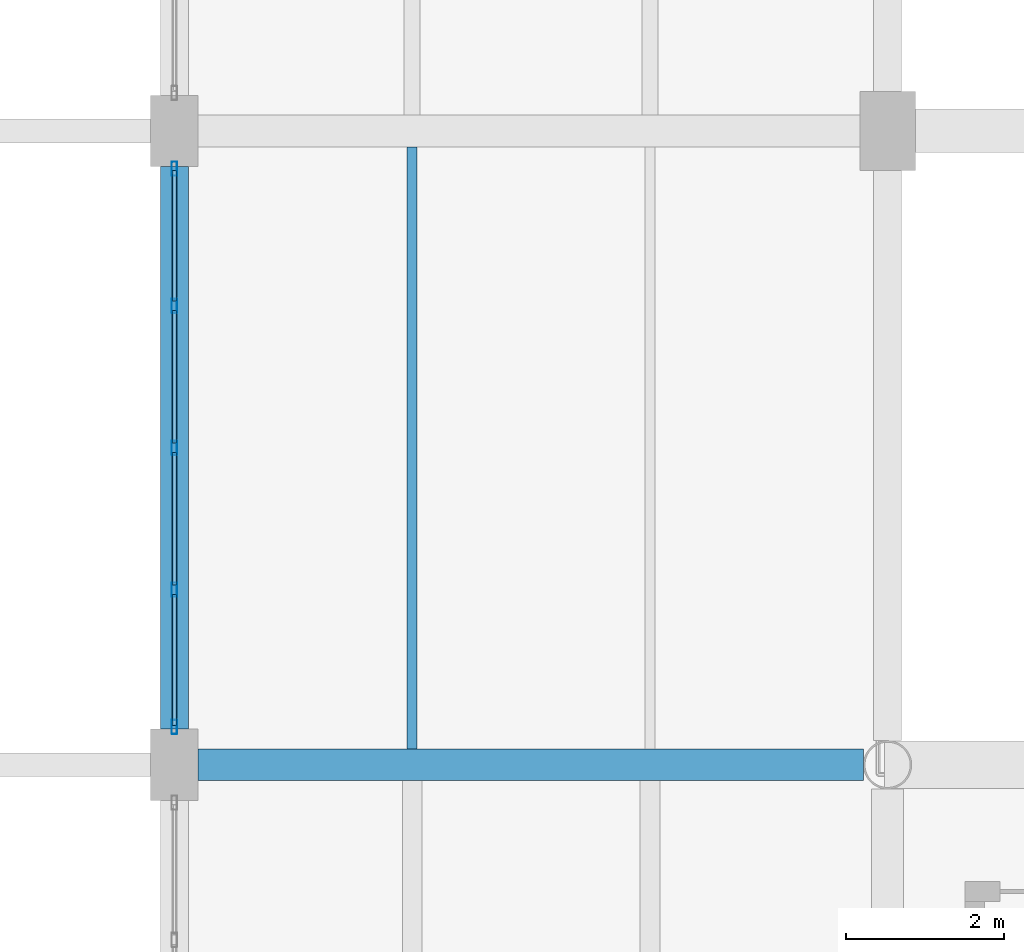
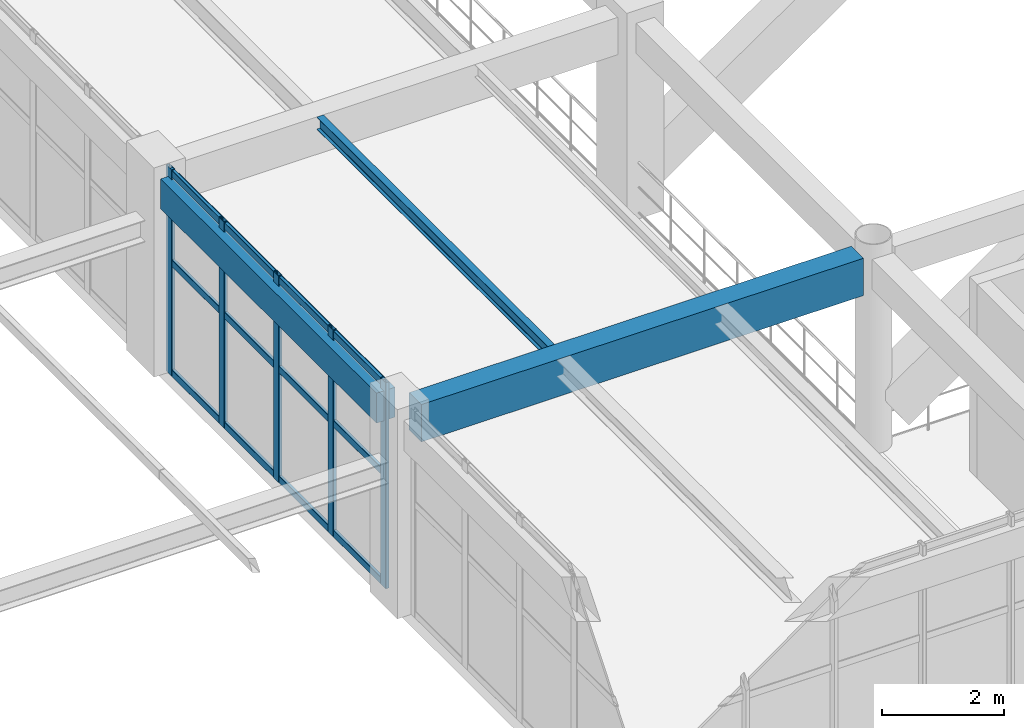
# One storey, part 32 of 148: 17 members, 3 beams, 1 element without a shape of its own.
"""IFC4 building model written with IfcOpenShell, lengths in metres."""

from ifc_helpers import new_model, si_unit, derived_unit, direction, frame, origin, origin_2d, place, context, subcontext, project, spatial, rectangle, hollow_rectangle, i_section, extrude, material, material_profile, profile_set, type_object, element, aggregate, save


model = new_model("IFC4")

# Units and contexts
model_context = context("Model", 3, precision=1e-05, world=origin(), true_north=direction((0.0, 1.0)))
body_context = subcontext(model_context, "Body", "Model", "MODEL_VIEW")
ifc_project = project(units=[si_unit("LENGTHUNIT", "METRE"), si_unit("AREAUNIT", "SQUARE_METRE"), si_unit("VOLUMEUNIT", "CUBIC_METRE"), si_unit("PLANEANGLEUNIT", "RADIAN"), si_unit("MASSUNIT", "GRAM", prefix="KILO"), derived_unit("THERMALTRANSMITTANCEUNIT", [(si_unit("MASSUNIT", "GRAM", prefix="KILO"), 1), (si_unit("TIMEUNIT", "SECOND"), -3), (si_unit("THERMODYNAMICTEMPERATUREUNIT", "KELVIN"), -1)])], contexts=[model_context])

# Site, building, storey
site_placement = place(None, origin())
site = spatial("IfcSite", under=ifc_project, at=site_placement, CompositionType="ELEMENT")
building_placement = place(site_placement, origin())
building = spatial("IfcBuilding", under=site, at=building_placement, Name="Zhenchuan Archway Interchange", CompositionType="ELEMENT")
storey_placement = place(building_placement, frame((0.0, 0.0, 10.199951171875)))
storey = spatial("IfcBuildingStorey", under=building, at=storey_placement, Name="L02", CompositionType="ELEMENT", Elevation=10.199951171875)

# Beam
ifc_material_1 = material(Name="Concrete C40", Category="concrete")
ifc_material_profile_1 = material_profile(ifc_material_1, rectangle(XDim=0.39990234375, YDim=0.75, at=origin_2d()), Name="RC 400x750")
ifc_profile_set_1 = profile_set([ifc_material_profile_1], Name="Concrete C40")
beam_type_1 = type_object("IfcBeamType", Name="BM_RC_400x750", PredefinedType="BEAM", material=ifc_profile_set_1)
beam_1_placement = place(storey_placement, frame((27.300048828125, 32.0, 3.56494140625), z_axis=(1.0, 0.0, 0.0), x_axis=(0.0, 1.0, 0.0)))
element("IfcBeam", 1, at=beam_1_placement, inside=storey, type_object=beam_type_1, Name="Beam E:4-5 (L02)", PredefinedType="BEAM", context=body_context, shape_type="SweptSolid", body=[
    extrude(rectangle(XDim=0.39990234375, YDim=0.75, at=origin_2d()), origin(), (0.0, 0.0, 1.0), 8.39501953125),
])

# Curtain wall, members
ifc_material_2 = material(Name="Anodised Aluminium", Category="aluminium")
curtain_wall_type = type_object("IfcCurtainWallType", Name="CW_UNIT_4", PredefinedType="NOTDEFINED", material=ifc_material_2)
curtain_wall_placement = place(storey_placement, origin())
curtain_wall = element("IfcCurtainWall", 2, at=curtain_wall_placement, inside=storey, type_object=curtain_wall_type, Name="Unitised curtain wall CW:L02:127", PredefinedType="NOTDEFINED")
ifc_material_profile_2 = material_profile(ifc_material_2, hollow_rectangle(XDim=0.070068359375, YDim=0.179931640625, WallThickness=0.00390625, InnerFilletRadius=0.00390625, OuterFilletRadius=0.008056640625, at=origin_2d()), Name="ALU 180x70x4")
ifc_profile_set_2 = profile_set([ifc_material_profile_2], Name="Anodised Aluminium")
member_type_1 = type_object("IfcMemberType", Name="CW_MUL_180", PredefinedType="MULLION", material=ifc_profile_set_2)
member_1_placement = place(storey_placement, frame((27.0, 32.47802734375, 0.0), z_axis=(0.0, 0.0, 1.0), x_axis=(1.0, 0.0, 0.0)))
member_1 = element("IfcMember", 3, at=member_1_placement, type_object=member_type_1, Name="CW:L02:127 mullion 0", PredefinedType="MULLION", context=body_context, shape_type="SweptSolid", body=[
    extrude(hollow_rectangle(XDim=0.070068359375, YDim=0.179931640625, WallThickness=0.00390625, InnerFilletRadius=0.00390625, OuterFilletRadius=0.008056640625, at=origin_2d()), origin(), (0.0, 0.0, 1.0), 4.14013671875),
])
member_2_placement = place(storey_placement, frame((27.0, 34.208984375, 0.0), z_axis=(0.0, 0.0, 1.0), x_axis=(1.0, 0.0, 0.0)))
member_2 = element("IfcMember", 4, at=member_2_placement, type_object=member_type_1, Name="CW:L02:127 mullion 1", PredefinedType="MULLION", context=body_context, shape_type="SweptSolid", body=[
    extrude(hollow_rectangle(XDim=0.070068359375, YDim=0.179931640625, WallThickness=0.00390625, InnerFilletRadius=0.00390625, OuterFilletRadius=0.008056640625, at=origin_2d()), origin(), (0.0, 0.0, 1.0), 4.14013671875),
])
member_3_placement = place(storey_placement, frame((27.0, 36.0, 0.0), z_axis=(0.0, 0.0, 1.0), x_axis=(1.0, 0.0, 0.0)))
member_3 = element("IfcMember", 5, at=member_3_placement, type_object=member_type_1, Name="CW:L02:127 mullion 2", PredefinedType="MULLION", context=body_context, shape_type="SweptSolid", body=[
    extrude(hollow_rectangle(XDim=0.070068359375, YDim=0.179931640625, WallThickness=0.00390625, InnerFilletRadius=0.00390625, OuterFilletRadius=0.008056640625, at=origin_2d()), origin(), (0.0, 0.0, 1.0), 4.14013671875),
])
member_4_placement = place(storey_placement, frame((27.0, 37.791015625, 0.0), z_axis=(0.0, 0.0, 1.0), x_axis=(1.0, 0.0, 0.0)))
member_4 = element("IfcMember", 6, at=member_4_placement, type_object=member_type_1, Name="CW:L02:127 mullion 3", PredefinedType="MULLION", context=body_context, shape_type="SweptSolid", body=[
    extrude(hollow_rectangle(XDim=0.070068359375, YDim=0.179931640625, WallThickness=0.00390625, InnerFilletRadius=0.00390625, OuterFilletRadius=0.008056640625, at=origin_2d()), origin(), (0.0, 0.0, 1.0), 4.14013671875),
])
member_5_placement = place(storey_placement, frame((27.0, 39.52197265625, 0.0), z_axis=(0.0, 0.0, 1.0), x_axis=(1.0, 0.0, 0.0)))
member_5 = element("IfcMember", 7, at=member_5_placement, type_object=member_type_1, Name="CW:L02:127 mullion 4", PredefinedType="MULLION", context=body_context, shape_type="SweptSolid", body=[
    extrude(hollow_rectangle(XDim=0.070068359375, YDim=0.179931640625, WallThickness=0.00390625, InnerFilletRadius=0.00390625, OuterFilletRadius=0.008056640625, at=origin_2d()), origin(), (0.0, 0.0, 1.0), 4.14013671875),
])
ifc_material_profile_3 = material_profile(ifc_material_2, hollow_rectangle(XDim=0.06005859375, YDim=0.139892578125, WallThickness=0.00341796875, InnerFilletRadius=0.00341796875, OuterFilletRadius=0.007080078125, at=origin_2d()), Name="ALU 140x60x3.5")
ifc_profile_set_3 = profile_set([ifc_material_profile_3], Name="Anodised Aluminium")
member_type_2 = type_object("IfcMemberType", Name="CW_TRN_140", PredefinedType="USERDEFINED", material=ifc_profile_set_3)
member_6_placement = place(storey_placement, frame((27.0, 32.498046875, 0.06005859375), z_axis=(0.0, 1.0, 0.0), x_axis=(-1.0, 0.0, 0.0)))
member_6 = element("IfcMember", 8, at=member_6_placement, type_object=member_type_2, Name="CW:L02:127 transom 0-1", ObjectType="TRANSOM", PredefinedType="USERDEFINED", context=body_context, shape_type="SweptSolid", body=[
    extrude(hollow_rectangle(XDim=0.06005859375, YDim=0.139892578125, WallThickness=0.00341796875, InnerFilletRadius=0.00341796875, OuterFilletRadius=0.007080078125, at=origin_2d()), origin(), (0.0, 0.0, 1.0), 1.65087890625),
])
member_7_placement = place(storey_placement, frame((27.0, 32.498046875, 2.26611328125), z_axis=(0.0, 1.0, 0.0), x_axis=(-1.0, 0.0, 0.0)))
member_7 = element("IfcMember", 9, at=member_7_placement, type_object=member_type_2, Name="CW:L02:127 transom 0-2", ObjectType="TRANSOM", PredefinedType="USERDEFINED", context=body_context, shape_type="SweptSolid", body=[
    extrude(hollow_rectangle(XDim=0.06005859375, YDim=0.139892578125, WallThickness=0.00341796875, InnerFilletRadius=0.00341796875, OuterFilletRadius=0.007080078125, at=origin_2d()), origin(), (0.0, 0.0, 1.0), 1.65087890625),
])
member_8_placement = place(storey_placement, frame((27.0, 32.498046875, 4.06005859375), z_axis=(0.0, 1.0, 0.0), x_axis=(-1.0, 0.0, 0.0)))
member_8 = element("IfcMember", 10, at=member_8_placement, type_object=member_type_2, Name="CW:L02:127 transom 0-3", ObjectType="TRANSOM", PredefinedType="USERDEFINED", context=body_context, shape_type="SweptSolid", body=[
    extrude(hollow_rectangle(XDim=0.06005859375, YDim=0.139892578125, WallThickness=0.00341796875, InnerFilletRadius=0.00341796875, OuterFilletRadius=0.007080078125, at=origin_2d()), origin(), (0.0, 0.0, 1.0), 1.65087890625),
])
member_9_placement = place(storey_placement, frame((27.0, 34.26904296875, 0.06005859375), z_axis=(0.0, 1.0, 0.0), x_axis=(-1.0, 0.0, 0.0)))
member_9 = element("IfcMember", 11, at=member_9_placement, type_object=member_type_2, Name="CW:L02:127 transom 1-1", ObjectType="TRANSOM", PredefinedType="USERDEFINED", context=body_context, shape_type="SweptSolid", body=[
    extrude(hollow_rectangle(XDim=0.06005859375, YDim=0.139892578125, WallThickness=0.00341796875, InnerFilletRadius=0.00341796875, OuterFilletRadius=0.007080078125, at=origin_2d()), origin(), (0.0, 0.0, 1.0), 1.6708984375),
])
member_10_placement = place(storey_placement, frame((27.0, 34.26904296875, 2.26611328125), z_axis=(0.0, 1.0, 0.0), x_axis=(-1.0, 0.0, 0.0)))
member_10 = element("IfcMember", 12, at=member_10_placement, type_object=member_type_2, Name="CW:L02:127 transom 1-2", ObjectType="TRANSOM", PredefinedType="USERDEFINED", context=body_context, shape_type="SweptSolid", body=[
    extrude(hollow_rectangle(XDim=0.06005859375, YDim=0.139892578125, WallThickness=0.00341796875, InnerFilletRadius=0.00341796875, OuterFilletRadius=0.007080078125, at=origin_2d()), origin(), (0.0, 0.0, 1.0), 1.6708984375),
])
member_11_placement = place(storey_placement, frame((27.0, 34.26904296875, 4.06005859375), z_axis=(0.0, 1.0, 0.0), x_axis=(-1.0, 0.0, 0.0)))
member_11 = element("IfcMember", 13, at=member_11_placement, type_object=member_type_2, Name="CW:L02:127 transom 1-3", ObjectType="TRANSOM", PredefinedType="USERDEFINED", context=body_context, shape_type="SweptSolid", body=[
    extrude(hollow_rectangle(XDim=0.06005859375, YDim=0.139892578125, WallThickness=0.00341796875, InnerFilletRadius=0.00341796875, OuterFilletRadius=0.007080078125, at=origin_2d()), origin(), (0.0, 0.0, 1.0), 1.6708984375),
])
member_12_placement = place(storey_placement, frame((27.0, 36.06005859375, 0.06005859375), z_axis=(0.0, 1.0, 0.0), x_axis=(-1.0, 0.0, 0.0)))
member_12 = element("IfcMember", 14, at=member_12_placement, type_object=member_type_2, Name="CW:L02:127 transom 2-1", ObjectType="TRANSOM", PredefinedType="USERDEFINED", context=body_context, shape_type="SweptSolid", body=[
    extrude(hollow_rectangle(XDim=0.06005859375, YDim=0.139892578125, WallThickness=0.00341796875, InnerFilletRadius=0.00341796875, OuterFilletRadius=0.007080078125, at=origin_2d()), origin(), (0.0, 0.0, 1.0), 1.6708984375),
])
member_13_placement = place(storey_placement, frame((27.0, 36.06005859375, 2.26611328125), z_axis=(0.0, 1.0, 0.0), x_axis=(-1.0, 0.0, 0.0)))
member_13 = element("IfcMember", 15, at=member_13_placement, type_object=member_type_2, Name="CW:L02:127 transom 2-2", ObjectType="TRANSOM", PredefinedType="USERDEFINED", context=body_context, shape_type="SweptSolid", body=[
    extrude(hollow_rectangle(XDim=0.06005859375, YDim=0.139892578125, WallThickness=0.00341796875, InnerFilletRadius=0.00341796875, OuterFilletRadius=0.007080078125, at=origin_2d()), origin(), (0.0, 0.0, 1.0), 1.6708984375),
])
member_14_placement = place(storey_placement, frame((27.0, 36.06005859375, 4.06005859375), z_axis=(0.0, 1.0, 0.0), x_axis=(-1.0, 0.0, 0.0)))
member_14 = element("IfcMember", 16, at=member_14_placement, type_object=member_type_2, Name="CW:L02:127 transom 2-3", ObjectType="TRANSOM", PredefinedType="USERDEFINED", context=body_context, shape_type="SweptSolid", body=[
    extrude(hollow_rectangle(XDim=0.06005859375, YDim=0.139892578125, WallThickness=0.00341796875, InnerFilletRadius=0.00341796875, OuterFilletRadius=0.007080078125, at=origin_2d()), origin(), (0.0, 0.0, 1.0), 1.6708984375),
])
member_15_placement = place(storey_placement, frame((27.0, 37.85107421875, 0.06005859375), z_axis=(0.0, 1.0, 0.0), x_axis=(-1.0, 0.0, 0.0)))
member_15 = element("IfcMember", 17, at=member_15_placement, type_object=member_type_2, Name="CW:L02:127 transom 3-1", ObjectType="TRANSOM", PredefinedType="USERDEFINED", context=body_context, shape_type="SweptSolid", body=[
    extrude(hollow_rectangle(XDim=0.06005859375, YDim=0.139892578125, WallThickness=0.00341796875, InnerFilletRadius=0.00341796875, OuterFilletRadius=0.007080078125, at=origin_2d()), origin(), (0.0, 0.0, 1.0), 1.65087890625),
])
member_16_placement = place(storey_placement, frame((27.0, 37.85107421875, 2.26611328125), z_axis=(0.0, 1.0, 0.0), x_axis=(-1.0, 0.0, 0.0)))
member_16 = element("IfcMember", 18, at=member_16_placement, type_object=member_type_2, Name="CW:L02:127 transom 3-2", ObjectType="TRANSOM", PredefinedType="USERDEFINED", context=body_context, shape_type="SweptSolid", body=[
    extrude(hollow_rectangle(XDim=0.06005859375, YDim=0.139892578125, WallThickness=0.00341796875, InnerFilletRadius=0.00341796875, OuterFilletRadius=0.007080078125, at=origin_2d()), origin(), (0.0, 0.0, 1.0), 1.65087890625),
])
member_17_placement = place(storey_placement, frame((27.0, 37.85107421875, 4.06005859375), z_axis=(0.0, 1.0, 0.0), x_axis=(-1.0, 0.0, 0.0)))
member_17 = element("IfcMember", 19, at=member_17_placement, type_object=member_type_2, Name="CW:L02:127 transom 3-3", ObjectType="TRANSOM", PredefinedType="USERDEFINED", context=body_context, shape_type="SweptSolid", body=[
    extrude(hollow_rectangle(XDim=0.06005859375, YDim=0.139892578125, WallThickness=0.00341796875, InnerFilletRadius=0.00341796875, OuterFilletRadius=0.007080078125, at=origin_2d()), origin(), (0.0, 0.0, 1.0), 1.65087890625),
])
aggregate(curtain_wall, [member_1, member_2, member_3, member_4, member_5, member_6, member_7, member_8, member_9, member_10, member_11, member_12, member_13, member_14, member_15, member_16, member_17])

# Beams
ifc_material_3 = material(Name="Steel Q355", Category="steel")
ifc_material_profile_4 = material_profile(ifc_material_3, i_section(OverallWidth=0.125, OverallDepth=0.25, WebThickness=0.006103515625, FlangeThickness=0.009033203125, FilletRadius=0.011962890625, at=origin_2d()), Name="HN 250x125")
ifc_profile_set_4 = profile_set([ifc_material_profile_4], Name="Steel Q355")
beam_type_2 = type_object("IfcBeamType", Name="JST_STL_HN250", PredefinedType="JOIST", material=ifc_profile_set_4)
beam_2_placement = place(storey_placement, frame((30.0, 32.199951171875, 3.81494140625), z_axis=(0.0, 1.0, 0.0), x_axis=(-1.0, 0.0, 0.0)))
element("IfcBeam", 20, at=beam_2_placement, inside=storey, type_object=beam_type_2, Name="Secondary joist 4-5/E-F #1 (L02)", PredefinedType="JOIST", context=body_context, shape_type="SweptSolid", body=[
    extrude(i_section(OverallWidth=0.125, OverallDepth=0.25, WebThickness=0.006103515625, FlangeThickness=0.009033203125, FilletRadius=0.011962890625, at=origin_2d()), origin(), (0.0, 0.0, 1.0), 7.60009765625),
])
ifc_material_profile_5 = material_profile(ifc_material_1, rectangle(XDim=0.35009765625, YDim=0.60009765625, at=origin_2d()), Name="RC 350x600")
ifc_profile_set_5 = profile_set([ifc_material_profile_5], Name="Concrete C40")
beam_type_3 = type_object("IfcBeamType", Name="SP_RC_350x600", PredefinedType="SPANDREL", material=ifc_profile_set_5)
beam_3_placement = place(storey_placement, frame((27.0, 32.449951171875, 3.64013671875), z_axis=(0.0, 1.0, 0.0), x_axis=(-1.0, 0.0, 0.0)))
element("IfcBeam", 21, at=beam_3_placement, inside=storey, type_object=beam_type_3, Name="Beam 4:E-F (L02)", PredefinedType="SPANDREL", context=body_context, shape_type="SweptSolid", body=[
    extrude(rectangle(XDim=0.35009765625, YDim=0.60009765625, at=origin_2d()), origin(), (0.0, 0.0, 1.0), 7.10009765625),
])

save(model, "model.ifc")
